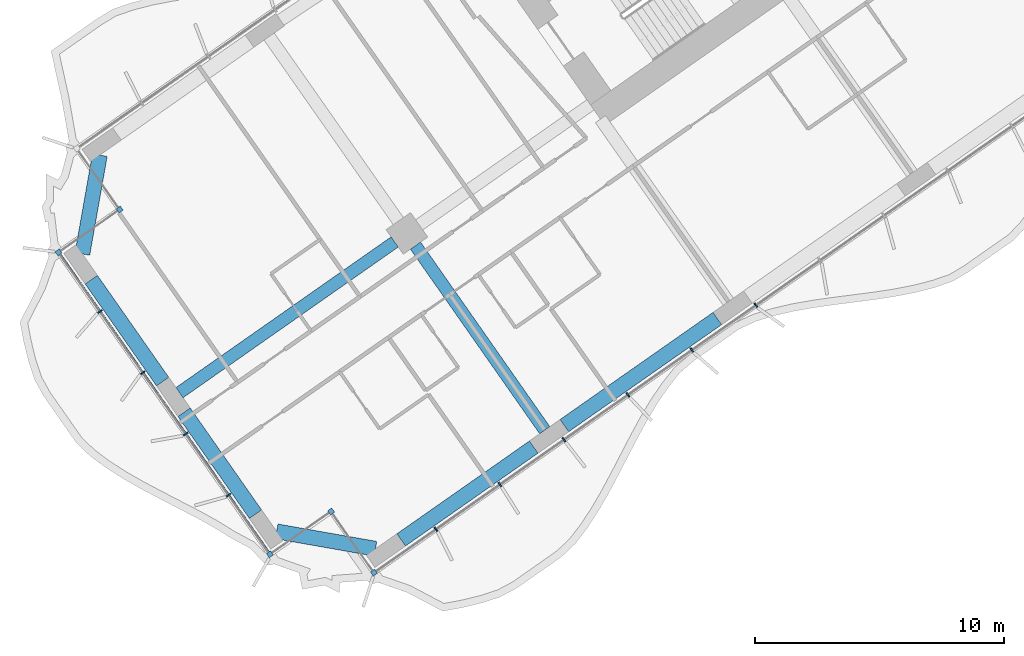
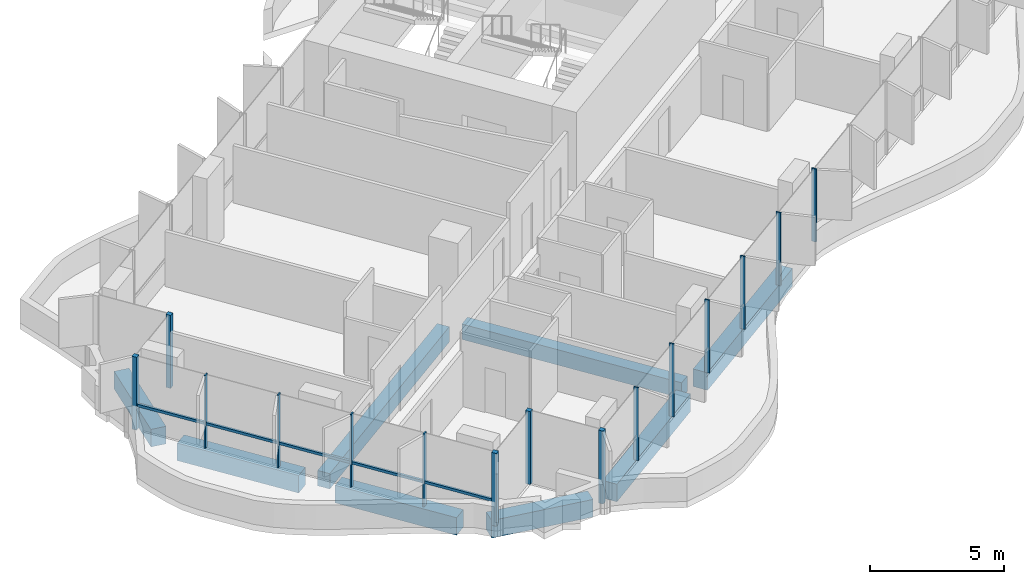
# One storey, part 2 of 24: 16 members, 8 beams, 1 element without a shape of its own.
"""IFC4 building model written with IfcOpenShell, lengths in metres."""

import ifcopenshell
import ifcopenshell.guid

model = None  # the IFC model being written
_history = None  # IfcOwnerHistory: only IFC2X3 demands one
_inside = {}  # id of a spatial element -> (the spatial element, [elements in it])
_under = {}  # id of a project, library or spatial element -> (it, [spatial elements below it])
_declared = {}  # id of a project -> (the project, [libraries it declares])
_typed = {}  # id of a type object -> (the type object, [elements of that type])
_made_of = {}  # id of a material, layer set ... -> (it, [elements and type objects made of it])


def new_model(schema):
    """Start an empty IFC model of exactly this schema.

    Asked for "IFC4X3", IfcOpenShell would pick the latest addendum, in which some entities
    have other attributes; the version numbers below select the first issue.
    IFC2X3 requires an IfcOwnerHistory on every rooted entity: one is made here for all.
    """
    global model, _history
    if schema == "IFC4X3":
        model = ifcopenshell.file(schema_version=(4, 3, 0, 0))
    else:
        model = ifcopenshell.file(schema=schema)
    _inside.clear()
    _under.clear()
    _declared.clear()
    _typed.clear()
    _made_of.clear()
    _history = None
    if model.schema == "IFC2X3":
        org = make("IfcOrganization", Name="unknown")
        user = make(
            "IfcPersonAndOrganization",
            ThePerson=make("IfcPerson", FamilyName="unknown"),
            TheOrganization=org,
        )
        app = make(
            "IfcApplication",
            ApplicationDeveloper=org,
            Version="unknown",
            ApplicationFullName="unknown",
            ApplicationIdentifier="unknown",
        )
        _history = make(
            "IfcOwnerHistory",
            OwningUser=user,
            OwningApplication=app,
            ChangeAction="ADDED",
            CreationDate=0,
        )
    return model


def make(cls, **values):
    """One entity of the class cls with the attributes given. An attribute that is None is left unset."""
    return model.create_entity(
        cls, **{name: value for name, value in values.items() if value is not None}
    )


def rooted(cls, **values):
    """An entity with a GlobalId (a new one), such as an element, a storey or a relation."""
    return make(cls, GlobalId=ifcopenshell.guid.new(), OwnerHistory=_history, **values)


def si_unit(unit_type, name, prefix=None):
    """IfcSIUnit, for example si_unit("LENGTHUNIT", "METRE", prefix="MILLI")."""
    return make("IfcSIUnit", UnitType=unit_type, Prefix=prefix, Name=name)


def assignment(units):
    """IfcUnitAssignment: the units of a project."""
    return None if units is None else make("IfcUnitAssignment", Units=units)


def point(xyz):
    """IfcCartesianPoint."""
    return None if xyz is None else make("IfcCartesianPoint", Coordinates=xyz)


def direction(xyz):
    """IfcDirection."""
    return None if xyz is None else make("IfcDirection", DirectionRatios=xyz)


def frame(location, z_axis=None, x_axis=None):
    """IfcAxis2Placement3D, a coordinate frame: its origin and axes. An axis left out is left unset."""
    return make(
        "IfcAxis2Placement3D",
        Location=point(location),
        Axis=direction(z_axis),
        RefDirection=direction(x_axis),
    )


def frame_2d(location, x_axis=None):
    """IfcAxis2Placement2D, a coordinate frame in the plane: its origin and x axis."""
    return make(
        "IfcAxis2Placement2D", Location=point(location), RefDirection=direction(x_axis)
    )


def origin():
    """The frame at (0, 0, 0) with its axes left unset."""
    return frame((0.0, 0.0, 0.0))


def origin_2d():
    """The frame at (0, 0) in the plane with its x axis left unset."""
    return frame_2d((0.0, 0.0))


def place(relative_to, where):
    """IfcLocalPlacement: puts the frame where relative to a parent placement (None: the world)."""
    return make(
        "IfcLocalPlacement", PlacementRelTo=relative_to, RelativePlacement=where
    )


def context(
    kind, dimensions, precision=None, world=None, true_north=None, identifier=None
):
    """IfcGeometricRepresentationContext, for example the 3D "Model" context."""
    return make(
        "IfcGeometricRepresentationContext",
        ContextIdentifier=identifier,
        ContextType=kind,
        CoordinateSpaceDimension=dimensions,
        Precision=precision,
        WorldCoordinateSystem=world,
        TrueNorth=true_north,
    )


def subcontext(parent, identifier, kind, view, scale=None):
    """IfcGeometricRepresentationSubContext, for example "Body" below "Model"."""
    return make(
        "IfcGeometricRepresentationSubContext",
        ContextIdentifier=identifier,
        ContextType=kind,
        ParentContext=parent,
        TargetScale=scale,
        TargetView=view,
    )


def project(units=None, contexts=None):
    """IfcProject with its units and contexts."""
    return rooted(
        "IfcProject",
        Name="project",
        RepresentationContexts=contexts,
        UnitsInContext=assignment(units),
    )


def spatial(cls, under=None, at=None, **own):
    """A site, building, storey or space (cls), placed at a placement, below another one or the project."""
    s = rooted(cls, ObjectPlacement=at, **own)
    if under is not None:
        _under.setdefault(under.id(), (under, []))[1].append(s)
    return s


def profile(cls, at=None, kind="AREA", **sizes):
    """A parametric profile (cls). Its sizes go by their IFC names, for example OverallWidth=200.0."""
    return make(cls, ProfileType=kind, Position=at, **sizes)


def rectangle(**sizes):
    """IfcRectangleProfileDef."""
    return profile("IfcRectangleProfileDef", **sizes)


def extrude(swept, where, along, depth):
    """IfcExtrudedAreaSolid: the profile swept, set in the frame where, extruded along a direction by depth."""
    return make(
        "IfcExtrudedAreaSolid",
        SweptArea=swept,
        Position=where,
        ExtrudedDirection=direction(along),
        Depth=depth,
    )


def shape(context_of_items, identifier, shape_type, items):
    """IfcShapeRepresentation: the items that make up one representation, for example the "Body"."""
    return make(
        "IfcShapeRepresentation",
        ContextOfItems=context_of_items,
        RepresentationIdentifier=identifier,
        RepresentationType=shape_type,
        Items=items,
    )


def material(Name=None, Category=None):
    """IfcMaterial."""
    return make("IfcMaterial", Name=Name, Category=Category)


def material_profile(
    of_material, cross_section, Name=None, Category=None, Priority=None
):
    """IfcMaterialProfile: a cross section and its material."""
    return make(
        "IfcMaterialProfile",
        Name=Name,
        Material=of_material,
        Profile=cross_section,
        Priority=Priority,
        Category=Category,
    )


def profile_set(profiles, Name=None, composite=None):
    """IfcMaterialProfileSet."""
    return make(
        "IfcMaterialProfileSet",
        Name=Name,
        MaterialProfiles=profiles,
        CompositeProfile=composite,
    )


def made_of(thing, what):
    """Note that an element or type object is made of a material, layer set ...; save() writes the relation."""
    if what is not None:
        _made_of.setdefault(what.id(), (what, []))[1].append(thing)
    return thing


def type_object(cls, material=None, **own):
    """A type object (cls), such as IfcWallType, which elements share."""
    return made_of(rooted(cls, **own), material)


def element(
    cls,
    number,
    at=None,
    inside=None,
    cuts=None,
    type_object=None,
    material=None,
    context=None,
    identifier="Body",
    shape_type=None,
    held_by="IfcProductDefinitionShape",
    body=None,
    shapes=None,
    **own,
):
    """One element of the class cls, such as IfcWall. Its Tag is "e" and its number.

    at: its placement. inside: the storey or other place that contains it. cuts: it is an
    opening in that element (IfcRelVoidsElement). A single representation is given by context,
    identifier, shape_type and body (its items); several are given by shapes. held_by: the class
    of the entity that holds the representations. save() writes the other relations.
    """
    e = rooted(cls, Tag="e%d" % number, ObjectPlacement=at, **own)
    if body is not None:
        shapes = [shape(context, identifier, shape_type, body)]
    if shapes is not None:
        e.Representation = make(held_by, Representations=shapes)
    if inside is not None:
        _inside.setdefault(inside.id(), (inside, []))[1].append(e)
    if cuts is not None:
        rooted(
            "IfcRelVoidsElement", RelatingBuildingElement=cuts, RelatedOpeningElement=e
        )
    if type_object is not None:
        _typed.setdefault(type_object.id(), (type_object, []))[1].append(e)
    return made_of(e, material)


def aggregate(whole, parts):
    """IfcRelAggregates: a whole, such as a stair, and the parts it consists of."""
    return rooted("IfcRelAggregates", RelatingObject=whole, RelatedObjects=parts)


def save(model, path):
    """Write the relations noted so far, then the file.

    IfcRelAggregates (storeys below a building ...), IfcRelContainedInSpatialStructure (elements
    in a storey), IfcRelDefinesByType, IfcRelAssociatesMaterial and IfcRelDeclares: one each for
    every whole, place, type object, material and project.
    """
    for whole, parts in _under.values():
        aggregate(whole, parts)
    for where, things in _inside.values():
        rooted(
            "IfcRelContainedInSpatialStructure",
            RelatedElements=things,
            RelatingStructure=where,
        )
    for kind, things in _typed.values():
        rooted("IfcRelDefinesByType", RelatedObjects=things, RelatingType=kind)
    for what, things in _made_of.values():
        rooted("IfcRelAssociatesMaterial", RelatedObjects=things, RelatingMaterial=what)
    for by, libraries in _declared.values():
        rooted("IfcRelDeclares", RelatingContext=by, RelatedDefinitions=libraries)
    model.write(path)


model = new_model("IFC4")

# Units and contexts
model_context = context("Model", 3, precision=1e-05, world=origin(), true_north=direction((0.0, 1.0)))
body_context = subcontext(model_context, "Body", "Model", "MODEL_VIEW")
ifc_project = project(units=[si_unit("LENGTHUNIT", "METRE"), si_unit("AREAUNIT", "SQUARE_METRE"), si_unit("VOLUMEUNIT", "CUBIC_METRE"), si_unit("PLANEANGLEUNIT", "RADIAN"), si_unit("MASSUNIT", "GRAM", prefix="KILO")], contexts=[model_context])

# Site, building, storey
site_placement = place(None, origin())
site = spatial("IfcSite", under=ifc_project, at=site_placement, CompositionType="ELEMENT")
building_placement = place(site_placement, origin())
building = spatial("IfcBuilding", under=site, at=building_placement, Name="Tel Ilan Convention Tower", CompositionType="ELEMENT")
storey_placement = place(building_placement, frame((0.0, 0.0, 72.5)))
storey = spatial("IfcBuildingStorey", under=building, at=storey_placement, Name="L13", CompositionType="ELEMENT", Elevation=72.5)

# Beams
ifc_material_1 = material(Name="Concrete C40/50", Category="concrete")
ifc_material_profile_1 = material_profile(ifc_material_1, rectangle(XDim=0.5, YDim=0.699951171875, at=origin_2d()), Name="RC 500x700")
ifc_profile_set_1 = profile_set([ifc_material_profile_1], Name="Concrete C40/50")
beam_type_1 = type_object("IfcBeamType", Name="Beam RC 500x700 Concrete C40/50", PredefinedType="BEAM", material=ifc_profile_set_1)
beam_1_placement = place(storey_placement, frame((-29.98095703125, -20.992919921875, -0.6298828125), z_axis=(-0.819151461915, -0.573577268067, 0.0), x_axis=(0.573577268067, -0.819151461915, 0.0)))
element("IfcBeam", 1, at=beam_1_placement, inside=storey, type_object=beam_type_1, Name="L13 beam W-W-M4-end", PredefinedType="BEAM", context=body_context, shape_type="SweptSolid", body=[
    extrude(rectangle(XDim=0.5, YDim=0.699951171875, at=origin_2d()), origin(), (0.0, 0.0, 1.0), 10.550048828125),
])
beam_2_placement = place(storey_placement, frame((-29.145263671875, -21.14013671875, -0.6298828125), z_axis=(0.573549245583, -0.819171082798, 0.0), x_axis=(0.819171082798, 0.573549245583, 0.0)))
element("IfcBeam", 2, at=beam_2_placement, inside=storey, type_object=beam_type_1, Name="L13 beam W-W-M4-W-F4", PredefinedType="BEAM", context=body_context, shape_type="SweptSolid", body=[
    extrude(rectangle(XDim=0.5, YDim=0.699951171875, at=origin_2d()), origin(), (0.0, 0.0, 1.0), 9.050048828125),
])
ifc_material_2 = material(Name="Concrete C40/50", Category="concrete")
ifc_material_profile_2 = material_profile(ifc_material_2, rectangle(XDim=0.60009765625, YDim=0.800048828125, at=origin_2d()), Name="RC 600x800")
ifc_profile_set_2 = profile_set([ifc_material_profile_2], Name="Concrete C40/50")
beam_type_2 = type_object("IfcBeamType", Name="Beam RC 600x800 Concrete C40/50", PredefinedType="BEAM", material=ifc_profile_set_2)
beam_3_placement = place(storey_placement, frame((-17.0244140625, -24.0673828125, -0.679931640625), z_axis=(-0.81915238829, -0.573575945067, 0.0), x_axis=(0.573575945067, -0.81915238829, 0.0)))
element("IfcBeam", 3, at=beam_3_placement, inside=storey, type_object=beam_type_2, Name="L13 beam W-W-F3-W-F4", PredefinedType="BEAM", context=body_context, shape_type="SweptSolid", body=[
    extrude(rectangle(XDim=0.60009765625, YDim=0.800048828125, at=origin_2d()), origin(), (0.0, 0.0, 1.0), 7.5),
])
beam_4_placement = place(storey_placement, frame((-24.396728515625, -29.2294921875, -0.679931640625), z_axis=(-0.819148977158, -0.573580816643, 0.0), x_axis=(0.573580816643, -0.819148977158, 0.0)))
element("IfcBeam", 4, at=beam_4_placement, inside=storey, type_object=beam_type_2, Name="L13 beam W-W-F4-W-FC", PredefinedType="BEAM", context=body_context, shape_type="SweptSolid", body=[
    extrude(rectangle(XDim=0.60009765625, YDim=0.800048828125, at=origin_2d()), origin(), (0.0, 0.0, 1.0), 6.5),
])
beam_5_placement = place(storey_placement, frame((-30.75341796875, -33.314208984375, -0.679931640625), z_axis=(-0.984815252405, 0.173605641124, 0.0), x_axis=(-0.173605641124, -0.984815252405, 0.0)))
element("IfcBeam", 5, at=beam_5_placement, inside=storey, type_object=beam_type_2, Name="L13 beam W-W-FC-W-E1", PredefinedType="BEAM", context=body_context, shape_type="SweptSolid", body=[
    extrude(rectangle(XDim=0.60009765625, YDim=0.800048828125, at=origin_2d()), origin(), (0.0, 0.0, 1.0), 4.030517578125),
])
for number, where, z_axis, x_axis, name in (
    (6, (-35.57080078125, -31.92626953125, -0.679931640625), (-0.573586866468, 0.819144740944, 0.0), (-0.819144740944, -0.573586866468, 0.0), "L13 beam W-W-E1-W-E2"),
    (7, (-39.298828125, -26.601806640625, -0.679931640625), (-0.573586866468, 0.819144740944, 0.0), (-0.819144740944, -0.573586866468, 0.0), "L13 beam W-W-E2-W-E3"),
):
    element("IfcBeam", number, at=place(storey_placement, frame(where, z_axis=z_axis, x_axis=x_axis)), inside=storey, type_object=beam_type_2, Name=name, PredefinedType="BEAM", context=body_context, shape_type="SweptSolid", body=[
        extrude(rectangle(XDim=0.60009765625, YDim=0.800048828125, at=origin_2d()), origin(), (0.0, 0.0, 1.0), 5.0),
    ])
beam_6_placement = place(storey_placement, frame((-42.523193359375, -21.473876953125, -0.679931640625), z_axis=(0.173605641124, 0.984815252405, 0.0), x_axis=(-0.984815252405, 0.173605641124, 0.0)))
element("IfcBeam", 8, at=beam_6_placement, inside=storey, type_object=beam_type_2, Name="L13 beam W-W-E3-W-BC", PredefinedType="BEAM", context=body_context, shape_type="SweptSolid", body=[
    extrude(rectangle(XDim=0.60009765625, YDim=0.800048828125, at=origin_2d()), origin(), (0.0, 0.0, 1.0), 4.030517578125),
])

# Curtain wall, members
ifc_material_3 = material(Name="Aluminium, bronze anodised", Category="aluminium")
curtain_wall_type = type_object("IfcCurtainWallType", Name="CW1 UNITISED CURTAIN WALL, HOTEL TINTED GLASS", PredefinedType="NOTDEFINED", material=ifc_material_3)
curtain_wall_placement = place(storey_placement, origin())
curtain_wall = element("IfcCurtainWall", 9, at=curtain_wall_placement, inside=storey, type_object=curtain_wall_type, Name="Curtain wall CW1-13.02", PredefinedType="NOTDEFINED")
ifc_material_4 = material(Name="Aluminium, bronze anodised", Category="aluminium")
ifc_material_profile_3 = material_profile(ifc_material_4, rectangle(XDim=0.199951171875, YDim=0.199951171875, at=origin_2d()), Name="CW CORNER MULLION 200x200")
ifc_profile_set_3 = profile_set([ifc_material_profile_3], Name="Aluminium, bronze anodised")
member_type_1 = type_object("IfcMemberType", Name="CW CORNER MULLION 200x200", PredefinedType="MULLION", material=ifc_profile_set_3)
member_1_placement = place(storey_placement, frame((-41.0244140625, -19.69189453125, 0.0), z_axis=(0.0, 0.0, 1.0), x_axis=(0.573576436351, -0.819152044289, 0.0)))
member_1 = element("IfcMember", 10, at=member_1_placement, type_object=member_type_1, Name="Corner mullion", PredefinedType="MULLION", context=body_context, shape_type="SweptSolid", body=[
    extrude(rectangle(XDim=0.199951171875, YDim=0.199951171875, at=origin_2d()), origin(), (0.0, 0.0, 1.0), 3.320068359375),
])
member_2_placement = place(storey_placement, frame((-43.48193359375, -21.41259765625, 0.0), z_axis=(0.0, 0.0, 1.0), x_axis=(-0.819152044289, -0.573576436351, 0.0)))
member_2 = element("IfcMember", 11, at=member_2_placement, type_object=member_type_1, Name="Corner mullion", PredefinedType="MULLION", context=body_context, shape_type="SweptSolid", body=[
    extrude(rectangle(XDim=0.199951171875, YDim=0.199951171875, at=origin_2d()), origin(), (0.0, 0.0, 1.0), 3.320068359375),
])
member_3_placement = place(storey_placement, frame((-34.992919921875, -33.5361328125, 0.0), z_axis=(0.0, 0.0, 1.0), x_axis=(0.573576436351, -0.819152044289, 0.0)))
member_3 = element("IfcMember", 12, at=member_3_placement, type_object=member_type_1, Name="Corner mullion", PredefinedType="MULLION", context=body_context, shape_type="SweptSolid", body=[
    extrude(rectangle(XDim=0.199951171875, YDim=0.199951171875, at=origin_2d()), origin(), (0.0, 0.0, 1.0), 3.320068359375),
])
member_4_placement = place(storey_placement, frame((-32.535400390625, -31.815185546875, 0.0), z_axis=(0.0, 0.0, 1.0), x_axis=(0.819152044289, 0.573576436351, 0.0)))
member_4 = element("IfcMember", 13, at=member_4_placement, type_object=member_type_1, Name="Corner mullion", PredefinedType="MULLION", context=body_context, shape_type="SweptSolid", body=[
    extrude(rectangle(XDim=0.199951171875, YDim=0.199951171875, at=origin_2d()), origin(), (0.0, 0.0, 1.0), 3.320068359375),
])
member_5_placement = place(storey_placement, frame((-30.814697265625, -34.272705078125, 0.0), z_axis=(0.0, 0.0, 1.0), x_axis=(0.573576436351, -0.819152044289, 0.0)))
member_5 = element("IfcMember", 14, at=member_5_placement, type_object=member_type_1, Name="Corner mullion", PredefinedType="MULLION", context=body_context, shape_type="SweptSolid", body=[
    extrude(rectangle(XDim=0.199951171875, YDim=0.199951171875, at=origin_2d()), origin(), (0.0, 0.0, 1.0), 3.320068359375),
])
ifc_material_5 = material(Name="Aluminium, bronze anodised", Category="aluminium")
ifc_material_profile_4 = material_profile(ifc_material_5, rectangle(XDim=0.06005859375, YDim=0.199951171875, at=origin_2d()), Name="CW MULLION 60x200")
ifc_profile_set_4 = profile_set([ifc_material_profile_4], Name="Aluminium, bronze anodised")
member_type_2 = type_object("IfcMemberType", Name="CW MULLION 60x200", PredefinedType="MULLION", material=ifc_profile_set_4)
member_6_placement = place(storey_placement, frame((-41.818359375, -23.7880859375, 0.0), z_axis=(0.0, 0.0, 1.0), x_axis=(0.573576436351, -0.819152044289, 0.0)))
member_6 = element("IfcMember", 15, at=member_6_placement, type_object=member_type_2, Name="Mullion", PredefinedType="MULLION", context=body_context, shape_type="SweptSolid", body=[
    extrude(rectangle(XDim=0.06005859375, YDim=0.199951171875, at=origin_2d()), origin(), (0.0, 0.0, 1.0), 3.320068359375),
])
member_7_placement = place(storey_placement, frame((-40.09765625, -26.24560546875, 0.0), z_axis=(0.0, 0.0, 1.0), x_axis=(0.573576436351, -0.819152044289, 0.0)))
member_7 = element("IfcMember", 16, at=member_7_placement, type_object=member_type_2, Name="Mullion", PredefinedType="MULLION", context=body_context, shape_type="SweptSolid", body=[
    extrude(rectangle(XDim=0.06005859375, YDim=0.199951171875, at=origin_2d()), origin(), (0.0, 0.0, 1.0), 3.320068359375),
])
member_8_placement = place(storey_placement, frame((-38.376953125, -28.703125, 0.0), z_axis=(0.0, 0.0, 1.0), x_axis=(0.573576436351, -0.819152044289, 0.0)))
member_8 = element("IfcMember", 17, at=member_8_placement, type_object=member_type_2, Name="Mullion", PredefinedType="MULLION", context=body_context, shape_type="SweptSolid", body=[
    extrude(rectangle(XDim=0.06005859375, YDim=0.199951171875, at=origin_2d()), origin(), (0.0, 0.0, 1.0), 3.320068359375),
])
member_9_placement = place(storey_placement, frame((-36.65625, -31.160400390625, 0.0), z_axis=(0.0, 0.0, 1.0), x_axis=(0.573576436351, -0.819152044289, 0.0)))
member_9 = element("IfcMember", 18, at=member_9_placement, type_object=member_type_2, Name="Mullion", PredefinedType="MULLION", context=body_context, shape_type="SweptSolid", body=[
    extrude(rectangle(XDim=0.06005859375, YDim=0.199951171875, at=origin_2d()), origin(), (0.0, 0.0, 1.0), 3.320068359375),
])
member_10_placement = place(storey_placement, frame((-28.32666015625, -32.530517578125, 0.0), z_axis=(0.0, 0.0, 1.0), x_axis=(0.819152044289, 0.573576436351, 0.0)))
member_10 = element("IfcMember", 19, at=member_10_placement, type_object=member_type_2, Name="Mullion", PredefinedType="MULLION", context=body_context, shape_type="SweptSolid", body=[
    extrude(rectangle(XDim=0.06005859375, YDim=0.199951171875, at=origin_2d()), origin(), (0.0, 0.0, 1.0), 3.320068359375),
])
member_11_placement = place(storey_placement, frame((-25.7568359375, -30.731201171875, 0.0), z_axis=(0.0, 0.0, 1.0), x_axis=(0.819152044289, 0.573576436351, 0.0)))
member_11 = element("IfcMember", 20, at=member_11_placement, type_object=member_type_2, Name="Mullion", PredefinedType="MULLION", context=body_context, shape_type="SweptSolid", body=[
    extrude(rectangle(XDim=0.06005859375, YDim=0.199951171875, at=origin_2d()), origin(), (0.0, 0.0, 1.0), 3.320068359375),
])
member_12_placement = place(storey_placement, frame((-23.186767578125, -28.931640625, 0.0), z_axis=(0.0, 0.0, 1.0), x_axis=(0.819152044289, 0.573576436351, 0.0)))
member_12 = element("IfcMember", 21, at=member_12_placement, type_object=member_type_2, Name="Mullion", PredefinedType="MULLION", context=body_context, shape_type="SweptSolid", body=[
    extrude(rectangle(XDim=0.06005859375, YDim=0.199951171875, at=origin_2d()), origin(), (0.0, 0.0, 1.0), 3.320068359375),
])
member_13_placement = place(storey_placement, frame((-20.616943359375, -27.132080078125, 0.0), z_axis=(0.0, 0.0, 1.0), x_axis=(0.819152044289, 0.573576436351, 0.0)))
member_13 = element("IfcMember", 22, at=member_13_placement, type_object=member_type_2, Name="Mullion", PredefinedType="MULLION", context=body_context, shape_type="SweptSolid", body=[
    extrude(rectangle(XDim=0.06005859375, YDim=0.199951171875, at=origin_2d()), origin(), (0.0, 0.0, 1.0), 3.320068359375),
])
member_14_placement = place(storey_placement, frame((-18.046875, -25.332763671875, 0.0), z_axis=(0.0, 0.0, 1.0), x_axis=(0.819152044289, 0.573576436351, 0.0)))
member_14 = element("IfcMember", 23, at=member_14_placement, type_object=member_type_2, Name="Mullion", PredefinedType="MULLION", context=body_context, shape_type="SweptSolid", body=[
    extrude(rectangle(XDim=0.06005859375, YDim=0.199951171875, at=origin_2d()), origin(), (0.0, 0.0, 1.0), 3.320068359375),
])
member_15_placement = place(storey_placement, frame((-15.47705078125, -23.533203125, 0.0), z_axis=(0.0, 0.0, 1.0), x_axis=(0.819152044289, 0.573576436351, 0.0)))
member_15 = element("IfcMember", 24, at=member_15_placement, type_object=member_type_2, Name="Mullion", PredefinedType="MULLION", context=body_context, shape_type="SweptSolid", body=[
    extrude(rectangle(XDim=0.06005859375, YDim=0.199951171875, at=origin_2d()), origin(), (0.0, 0.0, 1.0), 3.320068359375),
])
ifc_material_6 = material(Name="Aluminium, bronze anodised", Category="aluminium")
ifc_material_profile_5 = material_profile(ifc_material_6, rectangle(XDim=0.10009765625, YDim=0.1201171875, at=origin_2d()), Name="CW TRANSOM 100x120")
ifc_profile_set_5 = profile_set([ifc_material_profile_5], Name="Aluminium, bronze anodised")
member_type_3 = type_object("IfcMemberType", Name="CW TRANSOM 100x120", PredefinedType="USERDEFINED", material=ifc_profile_set_5)
member_16_placement = place(storey_placement, frame((-43.424560546875, -21.494384765625, 1.10009765625), z_axis=(0.573575688231, -0.819152568128, 0.0), x_axis=(0.819152568128, 0.573575688231, 0.0)))
member_16 = element("IfcMember", 25, at=member_16_placement, type_object=member_type_3, Name="Transom", ObjectType="TRANSOM", PredefinedType="USERDEFINED", context=body_context, shape_type="SweptSolid", body=[
    extrude(rectangle(XDim=0.10009765625, YDim=0.1201171875, at=origin_2d()), origin(), (0.0, 0.0, 1.0), 14.60009765625),
])
aggregate(curtain_wall, [member_1, member_2, member_6, member_7, member_8, member_9, member_3, member_16, member_4, member_5, member_10, member_11, member_12, member_13, member_14, member_15])

save(model, "model.ifc")
